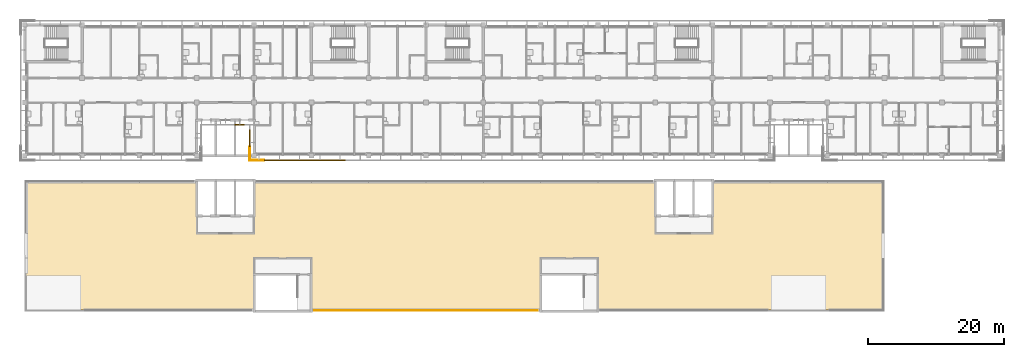
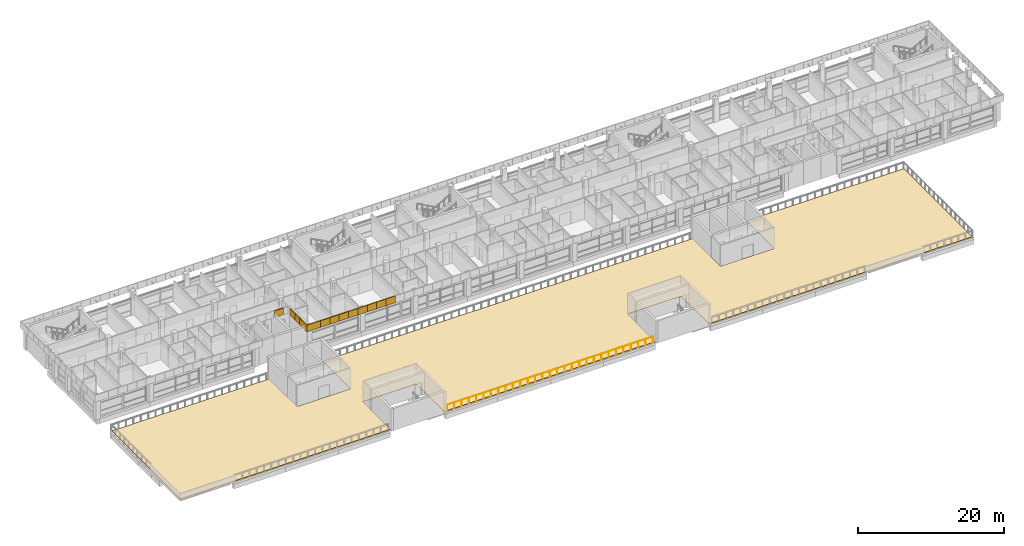
# One storey, part 38 of 46: 14 coverings, 1 railing.
"""IFC4 building model written with IfcOpenShell, lengths in metres."""

from ifc_helpers import new_model, si_unit, direction, frame, origin, origin_2d, place, context, subcontext, project, spatial, polyline, circle, outline, extrude, material, layer, layer_set, type_object, element, save


model = new_model("IFC4")

# Units and contexts
model_context = context("Model", 3, precision=1e-05, world=origin(), true_north=direction((0.0, 1.0)))
body_context = subcontext(model_context, "Body", "Model", "MODEL_VIEW")
ifc_project = project(units=[si_unit("LENGTHUNIT", "METRE"), si_unit("AREAUNIT", "SQUARE_METRE"), si_unit("VOLUMEUNIT", "CUBIC_METRE"), si_unit("PLANEANGLEUNIT", "RADIAN"), si_unit("MASSUNIT", "GRAM", prefix="KILO")], contexts=[model_context])

# Site, building, storey
site_placement = place(None, origin())
site = spatial("IfcSite", under=ifc_project, at=site_placement, CompositionType="ELEMENT")
building_placement = place(site_placement, origin())
building = spatial("IfcBuilding", under=site, at=building_placement, Name="Bougainvillea Quay General Hospital", CompositionType="ELEMENT")
storey_placement = place(building_placement, frame((0.0, 0.0, 28.800048828125)))
storey = spatial("IfcBuildingStorey", under=building, at=storey_placement, Name="L06", CompositionType="ELEMENT", Elevation=28.800048828125)

# Coverings
ifc_material_1 = material(Name="Powder-coated aluminium fascia, white", Category="aluminium")
ifc_layer_1 = layer(ifc_material_1, 0.14990234375)
ifc_layer_set_1 = layer_set([ifc_layer_1], Name="Powder-coated aluminium fascia, white")
covering_type_1 = type_object("IfcCoveringType", Name="Aluminium fascia band white 150x1100", PredefinedType="CLADDING", material=ifc_layer_set_1)
covering_1_placement = place(storey_placement, frame((72.800048828125, 145.050048828125, 3.349853515625), z_axis=(0.0, 0.0, 1.0), x_axis=(1.0, 0.0, 0.0)))
element("IfcCovering", 1, at=covering_1_placement, inside=storey, type_object=covering_type_1, Name="Fascia band white e0 135", PredefinedType="CLADDING", context=body_context, shape_type="SweptSolid", body=[
    extrude(outline(polyline([(0.0, 0.0), (1.39990234375, 0.0), (1.39990234375, -0.150146484375), (0.0, -0.150146484375), (0.0, 0.0)])), origin(), (0.0, 0.0, 1.0), 1.10009765625),
])
for number, where, z_axis, x_axis, name in (
    (2, (75.050048828125, 144.300048828125, 3.349853515625), (0.0, 0.0, 1.0), (0.0, -1.0, 0.0), "Fascia band white e0 138"),
    (3, (75.050048828125, 143.0, 3.349853515625), (0.0, 0.0, 1.0), (0.0, -1.0, 0.0), "Fascia band white e0 139"),
):
    element("IfcCovering", number, at=place(storey_placement, frame(where, z_axis=z_axis, x_axis=x_axis)), inside=storey, type_object=covering_type_1, Name=name, PredefinedType="CLADDING", context=body_context, shape_type="SweptSolid", body=[
        extrude(outline(polyline([(0.0, 0.0), (1.300048828125, 0.0), (1.300048828125, -0.150146484375), (0.0, -0.150146484375), (0.0, 0.0)])), origin(), (0.0, 0.0, 1.0), 1.10009765625),
    ])
covering_2_placement = place(storey_placement, frame((75.050048828125, 141.699951171875, 3.349853515625), z_axis=(0.0, 0.0, 1.0), x_axis=(0.0, -1.0, 0.0)))
element("IfcCovering", 4, at=covering_2_placement, inside=storey, type_object=covering_type_1, Name="Fascia band white e0 140", PredefinedType="CLADDING", context=body_context, shape_type="SweptSolid", body=[
    extrude(outline(polyline([(0.0, 0.0), (1.849853515625, 0.0), (2.0, -0.150146484375), (0.0, -0.150146484375), (0.0, 0.0)])), origin(), (0.0, 0.0, 1.0), 1.10009765625),
])
covering_3_placement = place(storey_placement, frame((75.050048828125, 139.85009765625, 3.349853515625), z_axis=(0.0, 0.0, 1.0), x_axis=(1.0, 0.0, 0.0)))
element("IfcCovering", 5, at=covering_3_placement, inside=storey, type_object=covering_type_1, Name="Fascia band white e0 141", PredefinedType="CLADDING", context=body_context, shape_type="SweptSolid", body=[
    extrude(outline(polyline([(0.0, 0.0), (2.0322265625, 0.0), (2.0322265625, -0.150146484375), (-0.150146484375, -0.150146484375), (0.0, 0.0)])), origin(), (0.0, 0.0, 1.0), 1.10009765625),
])
for number, where, z_axis, x_axis, name in (
    (6, (77.082275390625, 139.85009765625, 3.349853515625), (0.0, 0.0, 1.0), (1.0, 0.0, 0.0), "Fascia band white e0 142"),
    (7, (78.564697265625, 139.85009765625, 3.349853515625), (0.0, 0.0, 1.0), (1.0, 0.0, 0.0), "Fascia band white e0 143"),
):
    element("IfcCovering", number, at=place(storey_placement, frame(where, z_axis=z_axis, x_axis=x_axis)), inside=storey, type_object=covering_type_1, Name=name, PredefinedType="CLADDING", context=body_context, shape_type="SweptSolid", body=[
        extrude(outline(polyline([(0.0, 0.0), (1.482421875, 0.0), (1.482421875, -0.150146484375), (0.0, -0.150146484375), (0.0, 0.0)])), origin(), (0.0, 0.0, 1.0), 1.10009765625),
    ])
covering_4_placement = place(storey_placement, frame((80.047119140625, 139.85009765625, 3.349853515625), z_axis=(0.0, 0.0, 1.0), x_axis=(1.0, 0.0, 0.0)))
element("IfcCovering", 8, at=covering_4_placement, inside=storey, type_object=covering_type_1, Name="Fascia band white e0 144", PredefinedType="CLADDING", context=body_context, shape_type="SweptSolid", body=[
    extrude(outline(polyline([(0.0, 0.0), (1.482177734375, 0.0), (1.482177734375, -0.150146484375), (0.0, -0.150146484375), (0.0, 0.0)])), origin(), (0.0, 0.0, 1.0), 1.10009765625),
])
for number, where, z_axis, x_axis, name in (
    (9, (81.529296875, 139.85009765625, 3.349853515625), (0.0, 0.0, 1.0), (1.0, 0.0, 0.0), "Fascia band white e0 145"),
    (10, (83.01171875, 139.85009765625, 3.349853515625), (0.0, 0.0, 1.0), (1.0, 0.0, 0.0), "Fascia band white e0 146"),
    (11, (84.494140625, 139.85009765625, 3.349853515625), (0.0, 0.0, 1.0), (1.0, 0.0, 0.0), "Fascia band white e0 147"),
):
    element("IfcCovering", number, at=place(storey_placement, frame(where, z_axis=z_axis, x_axis=x_axis)), inside=storey, type_object=covering_type_1, Name=name, PredefinedType="CLADDING", context=body_context, shape_type="SweptSolid", body=[
        extrude(outline(polyline([(0.0, 0.0), (1.482421875, 0.0), (1.482421875, -0.150146484375), (0.0, -0.150146484375), (0.0, 0.0)])), origin(), (0.0, 0.0, 1.0), 1.10009765625),
    ])
covering_5_placement = place(storey_placement, frame((85.9765625, 139.85009765625, 3.349853515625), z_axis=(0.0, 0.0, 1.0), x_axis=(1.0, 0.0, 0.0)))
element("IfcCovering", 12, at=covering_5_placement, inside=storey, type_object=covering_type_1, Name="Fascia band white e0 148", PredefinedType="CLADDING", context=body_context, shape_type="SweptSolid", body=[
    extrude(outline(polyline([(0.0, 0.0), (1.482177734375, 0.0), (1.482177734375, -0.150146484375), (0.0, -0.150146484375), (0.0, 0.0)])), origin(), (0.0, 0.0, 1.0), 1.10009765625),
])
covering_6_placement = place(storey_placement, frame((87.458740234375, 139.85009765625, 3.349853515625), z_axis=(0.0, 0.0, 1.0), x_axis=(1.0, 0.0, 0.0)))
element("IfcCovering", 13, at=covering_6_placement, inside=storey, type_object=covering_type_1, Name="Fascia band white e0 149", PredefinedType="CLADDING", context=body_context, shape_type="SweptSolid", body=[
    extrude(outline(polyline([(0.0, 0.0), (1.482421875, 0.0), (1.482421875, -0.150146484375), (0.0, -0.150146484375), (0.0, 0.0)])), origin(), (0.0, 0.0, 1.0), 1.10009765625),
])
ifc_material_2 = material(Name="Concrete paving slabs on pedestals, light grey", Category="concrete")
ifc_layer_2 = layer(ifc_material_2, 0.080078125)
ifc_layer_set_2 = layer_set([ifc_layer_2], Name="Concrete paving slabs on pedestals, light grey")
covering_type_2 = type_object("IfcCoveringType", Name="Paved roof terrace 80", PredefinedType="ROOFING", material=ifc_layer_set_2)
covering_7_placement = place(storey_placement, origin())
element("IfcCovering", 14, at=covering_7_placement, inside=storey, type_object=covering_type_2, Name="Paved roof terrace 0 1", PredefinedType="ROOFING", context=body_context, shape_type="SweptSolid", body=[
    extrude(outline(polyline([(126.050048828125, 117.800048828125), (126.050048828125, 125.39990234375), (126.0498046875, 125.40478515625), (126.049072265625, 125.40966796875), (126.0478515625, 125.41455078125), (126.046142578125, 125.419189453125), (126.044189453125, 125.423583984375), (126.04150390625, 125.427734375), (126.03857421875, 125.431640625), (126.035400390625, 125.435302734375), (126.03173828125, 125.438720703125), (126.02783203125, 125.441650390625), (126.023681640625, 125.444091796875), (126.01904296875, 125.4462890625), (126.014404296875, 125.44775390625), (126.009765625, 125.448974609375), (126.0048828125, 125.44970703125), (126.0, 125.449951171875), (117.60009765625, 125.449951171875), (117.59521484375, 125.44970703125), (117.59033203125, 125.448974609375), (117.58544921875, 125.44775390625), (117.580810546875, 125.4462890625), (117.576416015625, 125.444091796875), (117.572265625, 125.441650390625), (117.568359375, 125.438720703125), (117.564697265625, 125.435302734375), (117.561279296875, 125.431640625), (117.558349609375, 125.427734375), (117.555908203125, 125.423583984375), (117.5537109375, 125.419189453125), (117.55224609375, 125.41455078125), (117.551025390625, 125.40966796875), (117.55029296875, 125.40478515625), (117.550048828125, 125.39990234375), (117.550048828125, 117.800048828125), (84.050048828125, 117.800048828125), (84.050048828125, 125.39990234375), (84.0498046875, 125.40478515625), (84.049072265625, 125.40966796875), (84.0478515625, 125.41455078125), (84.046142578125, 125.419189453125), (84.044189453125, 125.423583984375), (84.04150390625, 125.427734375), (84.03857421875, 125.431640625), (84.035400390625, 125.435302734375), (84.03173828125, 125.438720703125), (84.02783203125, 125.441650390625), (84.023681640625, 125.444091796875), (84.01904296875, 125.4462890625), (84.014404296875, 125.44775390625), (84.009765625, 125.448974609375), (84.0048828125, 125.44970703125), (84.0, 125.449951171875), (75.60009765625, 125.449951171875), (75.59521484375, 125.44970703125), (75.59033203125, 125.448974609375), (75.58544921875, 125.44775390625), (75.580810546875, 125.4462890625), (75.576416015625, 125.444091796875), (75.572265625, 125.441650390625), (75.568359375, 125.438720703125), (75.564697265625, 125.435302734375), (75.561279296875, 125.431640625), (75.558349609375, 125.427734375), (75.555908203125, 125.423583984375), (75.5537109375, 125.419189453125), (75.55224609375, 125.41455078125), (75.551025390625, 125.40966796875), (75.55029296875, 125.40478515625), (75.550048828125, 125.39990234375), (75.550048828125, 117.800048828125), (42.199951171875, 117.800048828125), (42.199951171875, 136.60009765625), (67.14990234375, 136.60009765625), (67.14990234375, 129.0), (67.150146484375, 128.9951171875), (67.15087890625, 128.990234375), (67.152099609375, 128.985595703125), (67.15380859375, 128.98095703125), (67.156005859375, 128.976318359375), (67.158447265625, 128.97216796875), (67.161376953125, 128.96826171875), (67.16455078125, 128.964599609375), (67.168212890625, 128.96142578125), (67.172119140625, 128.95849609375), (67.176513671875, 128.955810546875), (67.180908203125, 128.953857421875), (67.185546875, 128.9521484375), (67.190185546875, 128.950927734375), (67.195068359375, 128.9501953125), (67.199951171875, 128.949951171875), (75.60009765625, 128.949951171875), (75.60498046875, 128.9501953125), (75.60986328125, 128.950927734375), (75.614501953125, 128.9521484375), (75.619140625, 128.953857421875), (75.62353515625, 128.955810546875), (75.627685546875, 128.95849609375), (75.6318359375, 128.96142578125), (75.63525390625, 128.964599609375), (75.638671875, 128.96826171875), (75.6416015625, 128.97216796875), (75.64404296875, 128.976318359375), (75.646240234375, 128.98095703125), (75.64794921875, 128.985595703125), (75.64892578125, 128.990234375), (75.649658203125, 128.9951171875), (75.64990234375, 129.0), (75.64990234375, 136.60009765625), (134.35009765625, 136.60009765625), (134.35009765625, 129.0), (134.350341796875, 128.9951171875), (134.35107421875, 128.990234375), (134.35205078125, 128.985595703125), (134.353759765625, 128.98095703125), (134.35595703125, 128.976318359375), (134.3583984375, 128.97216796875), (134.361328125, 128.96826171875), (134.36474609375, 128.964599609375), (134.3681640625, 128.96142578125), (134.372314453125, 128.95849609375), (134.37646484375, 128.955810546875), (134.380859375, 128.953857421875), (134.385498046875, 128.9521484375), (134.39013671875, 128.950927734375), (134.39501953125, 128.9501953125), (134.39990234375, 128.949951171875), (142.800048828125, 128.949951171875), (142.804931640625, 128.9501953125), (142.809814453125, 128.950927734375), (142.814453125, 128.9521484375), (142.819091796875, 128.953857421875), (142.823486328125, 128.955810546875), (142.827880859375, 128.95849609375), (142.831787109375, 128.96142578125), (142.83544921875, 128.964599609375), (142.838623046875, 128.96826171875), (142.841552734375, 128.97216796875), (142.843994140625, 128.976318359375), (142.84619140625, 128.98095703125), (142.847900390625, 128.985595703125), (142.84912109375, 128.990234375), (142.849853515625, 128.9951171875), (142.85009765625, 129.0), (142.85009765625, 136.60009765625), (167.800048828125, 136.60009765625), (167.800048828125, 117.800048828125), (126.050048828125, 117.800048828125)])), origin(), (0.0, 0.0, 1.0), 0.079833984375),
])

# Railing
ifc_material_3 = material(Name="Stainless steel guard, brushed grade 316", Category="steel")
railing_type = type_object("IfcRailingType", Name="Stainless steel guard 1100", PredefinedType="GUARDRAIL", material=ifc_material_3)
railing_placement = place(storey_placement, frame((117.14990234375, 117.75, 0.0)))
element("IfcRailing", 15, at=railing_placement, inside=storey, type_object=railing_type, Name="Guard G02", PredefinedType="GUARDRAIL", context=body_context, shape_type="SweptSolid", body=[
    extrude(circle(Radius=0.02392578125, at=origin_2d()), frame((0.0, 0.0, 1.076171875), z_axis=(-1.0, 0.0, 0.0), x_axis=(0.0, -1.0, 0.0)), (0.0, 0.0, 1.0), 32.699951171875),
    extrude(circle(Radius=0.02099609375, at=origin_2d()), origin(), (0.0, 0.0, 1.0), 1.052001953125),
    extrude(circle(Radius=0.02099609375, at=origin_2d()), frame((-1.16796875, 0.0, 0.0)), (0.0, 0.0, 1.0), 1.052001953125),
    extrude(circle(Radius=0.02099609375, at=origin_2d()), frame((-2.335693359375, 0.0, 0.0)), (0.0, 0.0, 1.0), 1.052001953125),
    extrude(circle(Radius=0.02099609375, at=origin_2d()), frame((-3.503662109375, 0.0, 0.0)), (0.0, 0.0, 1.0), 1.052001953125),
    extrude(circle(Radius=0.02099609375, at=origin_2d()), frame((-4.67138671875, 0.0, 0.0)), (0.0, 0.0, 1.0), 1.052001953125),
    extrude(circle(Radius=0.02099609375, at=origin_2d()), frame((-5.83935546875, 0.0, 0.0)), (0.0, 0.0, 1.0), 1.052001953125),
    extrude(circle(Radius=0.02099609375, at=origin_2d()), frame((-7.007080078125, 0.0, 0.0)), (0.0, 0.0, 1.0), 1.052001953125),
    extrude(circle(Radius=0.02099609375, at=origin_2d()), frame((-8.175048828125, 0.0, 0.0)), (0.0, 0.0, 1.0), 1.052001953125),
    extrude(circle(Radius=0.02099609375, at=origin_2d()), frame((-9.3427734375, 0.0, 0.0)), (0.0, 0.0, 1.0), 1.052001953125),
    extrude(circle(Radius=0.02099609375, at=origin_2d()), frame((-10.5107421875, 0.0, 0.0)), (0.0, 0.0, 1.0), 1.052001953125),
    extrude(circle(Radius=0.02099609375, at=origin_2d()), frame((-11.678466796875, 0.0, 0.0)), (0.0, 0.0, 1.0), 1.052001953125),
    extrude(circle(Radius=0.02099609375, at=origin_2d()), frame((-12.846435546875, 0.0, 0.0)), (0.0, 0.0, 1.0), 1.052001953125),
    extrude(circle(Radius=0.02099609375, at=origin_2d()), frame((-14.01416015625, 0.0, 0.0)), (0.0, 0.0, 1.0), 1.052001953125),
    extrude(circle(Radius=0.02099609375, at=origin_2d()), frame((-15.18212890625, 0.0, 0.0)), (0.0, 0.0, 1.0), 1.052001953125),
    extrude(circle(Radius=0.02099609375, at=origin_2d()), frame((-16.35009765625, 0.0, 0.0)), (0.0, 0.0, 1.0), 1.052001953125),
    extrude(circle(Radius=0.02099609375, at=origin_2d()), frame((-17.517822265625, 0.0, 0.0)), (0.0, 0.0, 1.0), 1.052001953125),
    extrude(circle(Radius=0.02099609375, at=origin_2d()), frame((-18.685791015625, 0.0, 0.0)), (0.0, 0.0, 1.0), 1.052001953125),
    extrude(circle(Radius=0.02099609375, at=origin_2d()), frame((-19.853515625, 0.0, 0.0)), (0.0, 0.0, 1.0), 1.052001953125),
    extrude(circle(Radius=0.02099609375, at=origin_2d()), frame((-21.021484375, 0.0, 0.0)), (0.0, 0.0, 1.0), 1.052001953125),
    extrude(circle(Radius=0.02099609375, at=origin_2d()), frame((-22.189208984375, 0.0, 0.0)), (0.0, 0.0, 1.0), 1.052001953125),
    extrude(circle(Radius=0.02099609375, at=origin_2d()), frame((-23.357177734375, 0.0, 0.0)), (0.0, 0.0, 1.0), 1.052001953125),
    extrude(circle(Radius=0.02099609375, at=origin_2d()), frame((-24.52490234375, 0.0, 0.0)), (0.0, 0.0, 1.0), 1.052001953125),
    extrude(circle(Radius=0.02099609375, at=origin_2d()), frame((-25.69287109375, 0.0, 0.0)), (0.0, 0.0, 1.0), 1.052001953125),
    extrude(circle(Radius=0.02099609375, at=origin_2d()), frame((-26.860595703125, 0.0, 0.0)), (0.0, 0.0, 1.0), 1.052001953125),
    extrude(circle(Radius=0.02099609375, at=origin_2d()), frame((-28.028564453125, 0.0, 0.0)), (0.0, 0.0, 1.0), 1.052001953125),
    extrude(circle(Radius=0.02099609375, at=origin_2d()), frame((-29.1962890625, 0.0, 0.0)), (0.0, 0.0, 1.0), 1.052001953125),
    extrude(circle(Radius=0.02099609375, at=origin_2d()), frame((-30.3642578125, 0.0, 0.0)), (0.0, 0.0, 1.0), 1.052001953125),
    extrude(circle(Radius=0.02099609375, at=origin_2d()), frame((-31.531982421875, 0.0, 0.0)), (0.0, 0.0, 1.0), 1.052001953125),
    extrude(circle(Radius=0.02099609375, at=origin_2d()), frame((-32.699951171875, 0.0, 0.0)), (0.0, 0.0, 1.0), 1.052001953125),
])

save(model, "model.ifc")
